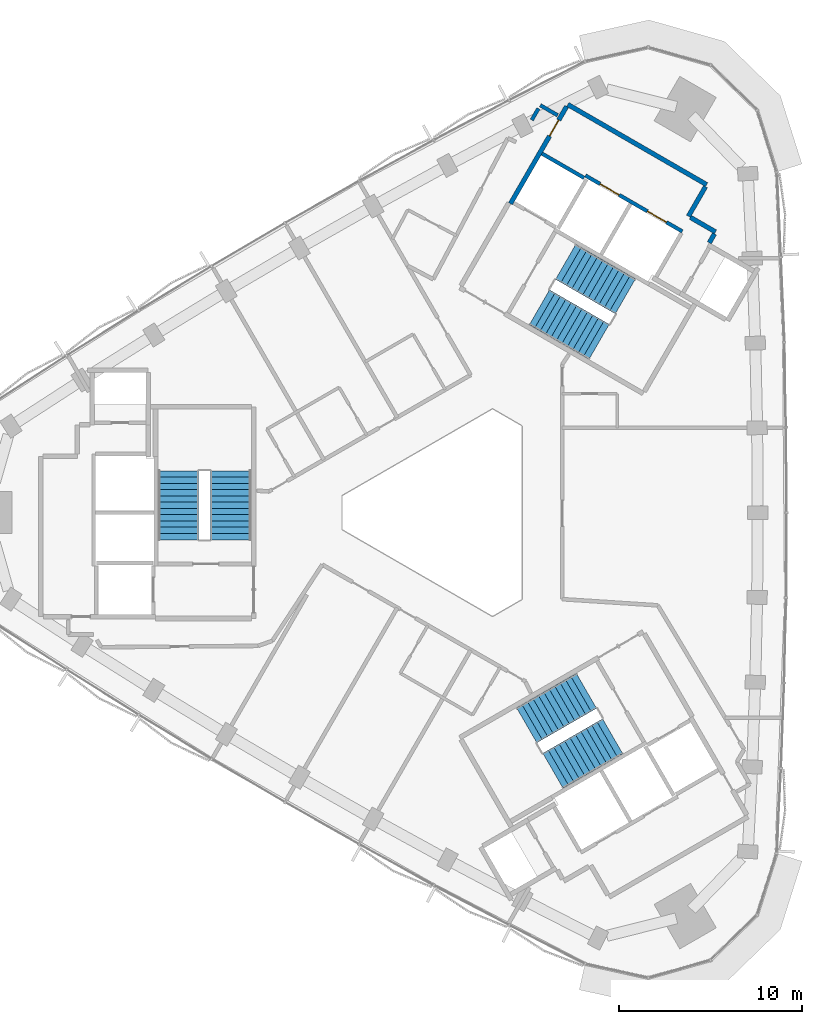
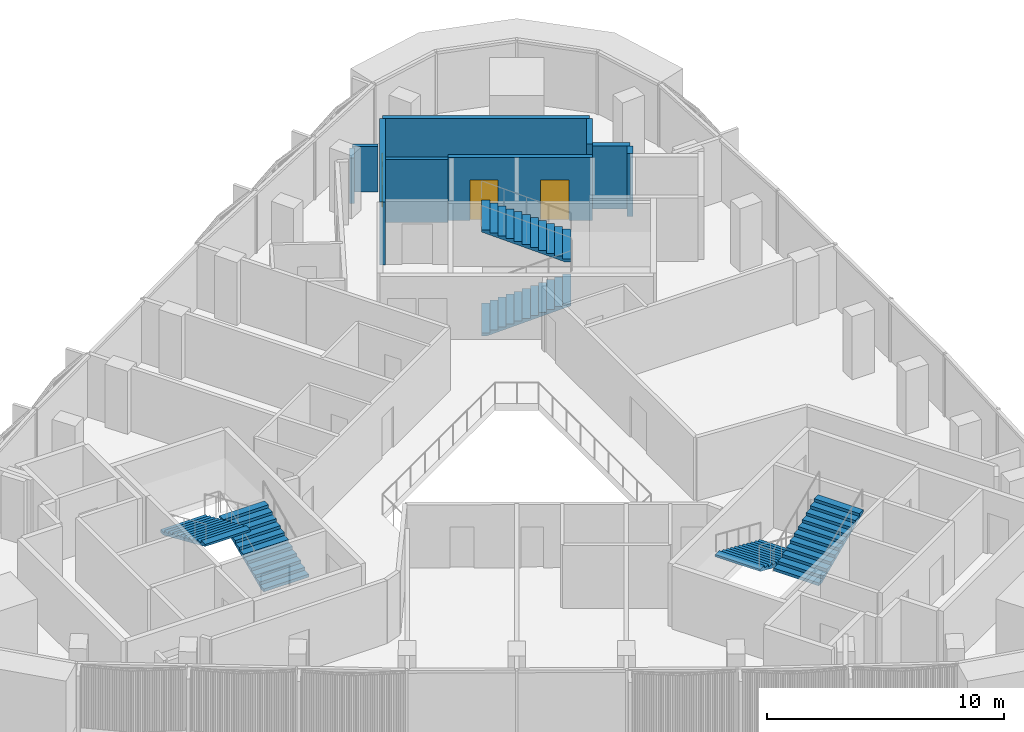
# One storey, part 11 of 14: 9 walls, 6 stair flights, 3 doors, 3 openings, 3 elements without a shape of their own.
"""IFC4 building model written with IfcOpenShell, lengths in metres."""

import ifcopenshell
import ifcopenshell.guid

model = None  # the IFC model being written
_history = None  # IfcOwnerHistory: only IFC2X3 demands one
_inside = {}  # id of a spatial element -> (the spatial element, [elements in it])
_under = {}  # id of a project, library or spatial element -> (it, [spatial elements below it])
_declared = {}  # id of a project -> (the project, [libraries it declares])
_typed = {}  # id of a type object -> (the type object, [elements of that type])
_made_of = {}  # id of a material, layer set ... -> (it, [elements and type objects made of it])


def new_model(schema):
    """Start an empty IFC model of exactly this schema.

    Asked for "IFC4X3", IfcOpenShell would pick the latest addendum, in which some entities
    have other attributes; the version numbers below select the first issue.
    IFC2X3 requires an IfcOwnerHistory on every rooted entity: one is made here for all.
    """
    global model, _history
    if schema == "IFC4X3":
        model = ifcopenshell.file(schema_version=(4, 3, 0, 0))
    else:
        model = ifcopenshell.file(schema=schema)
    _inside.clear()
    _under.clear()
    _declared.clear()
    _typed.clear()
    _made_of.clear()
    _history = None
    if model.schema == "IFC2X3":
        org = make("IfcOrganization", Name="unknown")
        user = make(
            "IfcPersonAndOrganization",
            ThePerson=make("IfcPerson", FamilyName="unknown"),
            TheOrganization=org,
        )
        app = make(
            "IfcApplication",
            ApplicationDeveloper=org,
            Version="unknown",
            ApplicationFullName="unknown",
            ApplicationIdentifier="unknown",
        )
        _history = make(
            "IfcOwnerHistory",
            OwningUser=user,
            OwningApplication=app,
            ChangeAction="ADDED",
            CreationDate=0,
        )
    return model


def make(cls, **values):
    """One entity of the class cls with the attributes given. An attribute that is None is left unset."""
    return model.create_entity(
        cls, **{name: value for name, value in values.items() if value is not None}
    )


def rooted(cls, **values):
    """An entity with a GlobalId (a new one), such as an element, a storey or a relation."""
    return make(cls, GlobalId=ifcopenshell.guid.new(), OwnerHistory=_history, **values)


def si_unit(unit_type, name, prefix=None):
    """IfcSIUnit, for example si_unit("LENGTHUNIT", "METRE", prefix="MILLI")."""
    return make("IfcSIUnit", UnitType=unit_type, Prefix=prefix, Name=name)


def assignment(units):
    """IfcUnitAssignment: the units of a project."""
    return None if units is None else make("IfcUnitAssignment", Units=units)


def point(xyz):
    """IfcCartesianPoint."""
    return None if xyz is None else make("IfcCartesianPoint", Coordinates=xyz)


def direction(xyz):
    """IfcDirection."""
    return None if xyz is None else make("IfcDirection", DirectionRatios=xyz)


def frame(location, z_axis=None, x_axis=None):
    """IfcAxis2Placement3D, a coordinate frame: its origin and axes. An axis left out is left unset."""
    return make(
        "IfcAxis2Placement3D",
        Location=point(location),
        Axis=direction(z_axis),
        RefDirection=direction(x_axis),
    )


def frame_2d(location, x_axis=None):
    """IfcAxis2Placement2D, a coordinate frame in the plane: its origin and x axis."""
    return make(
        "IfcAxis2Placement2D", Location=point(location), RefDirection=direction(x_axis)
    )


def origin():
    """The frame at (0, 0, 0) with its axes left unset."""
    return frame((0.0, 0.0, 0.0))


def place(relative_to, where):
    """IfcLocalPlacement: puts the frame where relative to a parent placement (None: the world)."""
    return make(
        "IfcLocalPlacement", PlacementRelTo=relative_to, RelativePlacement=where
    )


def context(
    kind, dimensions, precision=None, world=None, true_north=None, identifier=None
):
    """IfcGeometricRepresentationContext, for example the 3D "Model" context."""
    return make(
        "IfcGeometricRepresentationContext",
        ContextIdentifier=identifier,
        ContextType=kind,
        CoordinateSpaceDimension=dimensions,
        Precision=precision,
        WorldCoordinateSystem=world,
        TrueNorth=true_north,
    )


def subcontext(parent, identifier, kind, view, scale=None):
    """IfcGeometricRepresentationSubContext, for example "Body" below "Model"."""
    return make(
        "IfcGeometricRepresentationSubContext",
        ContextIdentifier=identifier,
        ContextType=kind,
        ParentContext=parent,
        TargetScale=scale,
        TargetView=view,
    )


def project(units=None, contexts=None):
    """IfcProject with its units and contexts."""
    return rooted(
        "IfcProject",
        Name="project",
        RepresentationContexts=contexts,
        UnitsInContext=assignment(units),
    )


def spatial(cls, under=None, at=None, **own):
    """A site, building, storey or space (cls), placed at a placement, below another one or the project."""
    s = rooted(cls, ObjectPlacement=at, **own)
    if under is not None:
        _under.setdefault(under.id(), (under, []))[1].append(s)
    return s


def polyline(points):
    """IfcPolyline through the points."""
    return make("IfcPolyline", Points=[point(p) for p in points])


def profile(cls, at=None, kind="AREA", **sizes):
    """A parametric profile (cls). Its sizes go by their IFC names, for example OverallWidth=200.0."""
    return make(cls, ProfileType=kind, Position=at, **sizes)


def rectangle(**sizes):
    """IfcRectangleProfileDef."""
    return profile("IfcRectangleProfileDef", **sizes)


def outline(outer, holes=None, kind="AREA"):
    """IfcArbitraryClosedProfileDef: a profile drawn as a closed curve; with holes, ...WithVoids."""
    if holes is None:
        return make("IfcArbitraryClosedProfileDef", ProfileType=kind, OuterCurve=outer)
    return make(
        "IfcArbitraryProfileDefWithVoids",
        ProfileType=kind,
        OuterCurve=outer,
        InnerCurves=holes,
    )


def extrude(swept, where, along, depth):
    """IfcExtrudedAreaSolid: the profile swept, set in the frame where, extruded along a direction by depth."""
    return make(
        "IfcExtrudedAreaSolid",
        SweptArea=swept,
        Position=where,
        ExtrudedDirection=direction(along),
        Depth=depth,
    )


def shape(context_of_items, identifier, shape_type, items):
    """IfcShapeRepresentation: the items that make up one representation, for example the "Body"."""
    return make(
        "IfcShapeRepresentation",
        ContextOfItems=context_of_items,
        RepresentationIdentifier=identifier,
        RepresentationType=shape_type,
        Items=items,
    )


def material(Name=None, Category=None):
    """IfcMaterial."""
    return make("IfcMaterial", Name=Name, Category=Category)


def layer(
    of_material, thickness, ventilated=None, Name=None, Category=None, Priority=None
):
    """IfcMaterialLayer: one layer of a wall or slab, of a material (None: an air gap)."""
    return make(
        "IfcMaterialLayer",
        Material=of_material,
        LayerThickness=thickness,
        IsVentilated=ventilated,
        Name=Name,
        Category=Category,
        Priority=Priority,
    )


def layer_set(layers, Name=None):
    """IfcMaterialLayerSet."""
    return make("IfcMaterialLayerSet", MaterialLayers=layers, LayerSetName=Name)


def made_of(thing, what):
    """Note that an element or type object is made of a material, layer set ...; save() writes the relation."""
    if what is not None:
        _made_of.setdefault(what.id(), (what, []))[1].append(thing)
    return thing


def type_object(cls, material=None, **own):
    """A type object (cls), such as IfcWallType, which elements share."""
    return made_of(rooted(cls, **own), material)


def element(
    cls,
    number,
    at=None,
    inside=None,
    cuts=None,
    type_object=None,
    material=None,
    context=None,
    identifier="Body",
    shape_type=None,
    held_by="IfcProductDefinitionShape",
    body=None,
    shapes=None,
    **own,
):
    """One element of the class cls, such as IfcWall. Its Tag is "e" and its number.

    at: its placement. inside: the storey or other place that contains it. cuts: it is an
    opening in that element (IfcRelVoidsElement). A single representation is given by context,
    identifier, shape_type and body (its items); several are given by shapes. held_by: the class
    of the entity that holds the representations. save() writes the other relations.
    """
    e = rooted(cls, Tag="e%d" % number, ObjectPlacement=at, **own)
    if body is not None:
        shapes = [shape(context, identifier, shape_type, body)]
    if shapes is not None:
        e.Representation = make(held_by, Representations=shapes)
    if inside is not None:
        _inside.setdefault(inside.id(), (inside, []))[1].append(e)
    if cuts is not None:
        rooted(
            "IfcRelVoidsElement", RelatingBuildingElement=cuts, RelatedOpeningElement=e
        )
    if type_object is not None:
        _typed.setdefault(type_object.id(), (type_object, []))[1].append(e)
    return made_of(e, material)


def fill(opening, filler):
    """IfcRelFillsElement: the door or window that sits in an opening."""
    return rooted(
        "IfcRelFillsElement",
        RelatingOpeningElement=opening,
        RelatedBuildingElement=filler,
    )


def aggregate(whole, parts):
    """IfcRelAggregates: a whole, such as a stair, and the parts it consists of."""
    return rooted("IfcRelAggregates", RelatingObject=whole, RelatedObjects=parts)


def save(model, path):
    """Write the relations noted so far, then the file.

    IfcRelAggregates (storeys below a building ...), IfcRelContainedInSpatialStructure (elements
    in a storey), IfcRelDefinesByType, IfcRelAssociatesMaterial and IfcRelDeclares: one each for
    every whole, place, type object, material and project.
    """
    for whole, parts in _under.values():
        aggregate(whole, parts)
    for where, things in _inside.values():
        rooted(
            "IfcRelContainedInSpatialStructure",
            RelatedElements=things,
            RelatingStructure=where,
        )
    for kind, things in _typed.values():
        rooted("IfcRelDefinesByType", RelatedObjects=things, RelatingType=kind)
    for what, things in _made_of.values():
        rooted("IfcRelAssociatesMaterial", RelatedObjects=things, RelatingMaterial=what)
    for by, libraries in _declared.values():
        rooted("IfcRelDeclares", RelatingContext=by, RelatedDefinitions=libraries)
    model.write(path)


model = new_model("IFC4")

# Units and contexts
model_context = context("Model", 3, precision=1e-05, world=origin(), true_north=direction((0.0, 1.0)))
body_context = subcontext(model_context, "Body", "Model", "MODEL_VIEW")
ifc_project = project(units=[si_unit("LENGTHUNIT", "METRE"), si_unit("AREAUNIT", "SQUARE_METRE"), si_unit("VOLUMEUNIT", "CUBIC_METRE"), si_unit("PLANEANGLEUNIT", "RADIAN"), si_unit("MASSUNIT", "GRAM", prefix="KILO")], contexts=[model_context])

# Site, building, storey
site_placement = place(None, origin())
site = spatial("IfcSite", under=ifc_project, at=site_placement, CompositionType="ELEMENT")
building_placement = place(site_placement, origin())
building = spatial("IfcBuilding", under=site, at=building_placement, Name="Tamra Quay Hotel Tower", CompositionType="ELEMENT")
storey_placement = place(building_placement, frame((0.0, 0.0, 228.60009765625)))
storey = spatial("IfcBuildingStorey", under=building, at=storey_placement, Name="L57", CompositionType="ELEMENT", Elevation=228.60009765625)

# Wall, openings, doors
ifc_material_1 = material(Name="Concrete M70", Category="concrete")
ifc_layer_1 = layer(ifc_material_1, 0.199951171875)
ifc_layer_set_1 = layer_set([ifc_layer_1], Name="Concrete M70 core wall 200")
wall_type_1 = type_object("IfcWallType", Name="Concrete M70 core wall 200", PredefinedType="SHEAR", material=ifc_layer_set_1)
wall_1_placement = place(storey_placement, frame((12.552490234375, 15.341552734375, 0.0), z_axis=(0.0, 0.0, 1.0), x_axis=(-0.866030299012, 0.499991521122, 0.0)))
wall_1 = element("IfcWall", 1, at=wall_1_placement, inside=storey, type_object=wall_type_1, Name="CW2", PredefinedType="SHEAR", context=body_context, shape_type="SweptSolid", body=[
    extrude(rectangle(XDim=6.10009765625, YDim=0.199951171875, at=frame_2d((3.050048828125, 0.0))), origin(), (0.0, 0.0, 1.0), 3.25),
])
opening_1_placement = place(wall_1_placement, frame((1.0, 0.0, 0.0)))
opening_1 = element("IfcOpeningElement", 2, at=opening_1_placement, cuts=wall_1, Name="Opening LD", PredefinedType="OPENING", context=body_context, shape_type="SweptSolid", body=[
    extrude(rectangle(XDim=1.199951171875, YDim=2.10009765625, at=frame_2d((0.60009765625, 1.050048828125))), frame((0.0, 0.10986328125, 0.0), z_axis=(0.0, -1.0, 0.0), x_axis=(1.0, 0.0, 0.0)), (0.0, 0.0, 1.0), 0.219970703125),
])
opening_2_placement = place(wall_1_placement, frame((3.982177734375, 0.0, 0.0)))
opening_2 = element("IfcOpeningElement", 3, at=opening_2_placement, cuts=wall_1, Name="Opening LD", PredefinedType="OPENING", context=body_context, shape_type="SweptSolid", body=[
    extrude(rectangle(XDim=1.199951171875, YDim=2.10009765625, at=frame_2d((0.60009765625, 1.050048828125))), frame((0.0, 0.10986328125, 0.0), z_axis=(0.0, -1.0, 0.0), x_axis=(1.0, 0.0, 0.0)), (0.0, 0.0, 1.0), 0.219970703125),
])
ifc_material_2 = material(Name="Landing door LD 1200 double door sliding")
door_type_1 = type_object("IfcDoorType", Name="Landing door LD 1200 double door sliding", OperationType="DOUBLE_DOOR_SLIDING", PredefinedType="DOOR", material=ifc_material_2)
door_1_placement = place(opening_1_placement, origin())
door_1 = element("IfcDoor", 4, at=door_1_placement, inside=storey, type_object=door_type_1, Name="LD", OperationType="DOUBLE_DOOR_SLIDING", OverallHeight=2.10009765625, OverallWidth=1.199951171875, PredefinedType="DOOR", context=body_context, shape_type="SweptSolid", body=[
    extrude(rectangle(XDim=1.199951171875, YDim=2.10009765625, at=frame_2d((0.60009765625, 1.050048828125))), frame((0.0, 0.02490234375, 0.0), z_axis=(0.0, -1.0, 0.0), x_axis=(1.0, 0.0, 0.0)), (0.0, 0.0, 1.0), 0.050048828125),
])
fill(opening_1, door_1)
door_2_placement = place(opening_2_placement, origin())
door_2 = element("IfcDoor", 5, at=door_2_placement, inside=storey, type_object=door_type_1, Name="LD", OperationType="DOUBLE_DOOR_SLIDING", OverallHeight=2.10009765625, OverallWidth=1.199951171875, PredefinedType="DOOR", context=body_context, shape_type="SweptSolid", body=[
    extrude(rectangle(XDim=1.199951171875, YDim=2.10009765625, at=frame_2d((0.60009765625, 1.050048828125))), frame((0.0, 0.02490234375, 0.0), z_axis=(0.0, -1.0, 0.0), x_axis=(1.0, 0.0, 0.0)), (0.0, 0.0, 1.0), 0.050048828125),
])
fill(opening_2, door_2)

# Walls
wall_2_placement = place(storey_placement, frame((7.1962890625, 18.260498046875, 0.0), z_axis=(0.0, 0.0, 1.0), x_axis=(-0.866018407898, 0.500012117035, 0.0)))
element("IfcWall", 6, at=wall_2_placement, inside=storey, type_object=wall_type_1, Name="CW2", PredefinedType="SHEAR", context=body_context, shape_type="SweptSolid", body=[
    extrude(rectangle(XDim=2.65087890625, YDim=0.199951171875, at=frame_2d((1.325439453125, 0.0))), origin(), (0.0, 0.0, 1.0), 3.25),
])
ifc_layer_2 = layer(ifc_material_1, 0.25)
ifc_layer_set_2 = layer_set([ifc_layer_2], Name="Concrete M70 core wall 250")
wall_type_2 = type_object("IfcWallType", Name="Concrete M70 core wall 250", PredefinedType="SHEAR", material=ifc_layer_set_2)
wall_3_placement = place(storey_placement, frame((6.303955078125, 22.268798828125, 0.0), z_axis=(0.0, 0.0, 1.0), x_axis=(0.866022959057, -0.500004234368, 0.0)))
element("IfcWall", 7, at=wall_3_placement, inside=storey, type_object=wall_type_2, Name="CW1", PredefinedType="SHEAR", context=body_context, shape_type="SweptSolid", body=[
    extrude(rectangle(XDim=8.75, YDim=0.25, at=frame_2d((4.375, 0.0))), origin(), (0.0, 0.0, 1.0), 3.25),
])

# Wall, opening, door
wall_4_placement = place(storey_placement, frame((3.178955078125, 16.856201171875, 0.0), z_axis=(0.0, 0.0, 1.0), x_axis=(0.500001955336, 0.866024274868, 0.0)))
wall_4 = element("IfcWall", 8, at=wall_4_placement, inside=storey, type_object=wall_type_2, Name="CW1", PredefinedType="SHEAR", context=body_context, shape_type="SweptSolid", body=[
    extrude(rectangle(XDim=6.12451171875, YDim=0.25, at=frame_2d((3.062255859375, 0.0))), origin(), (0.0, 0.0, 1.0), 3.25),
])
opening_3_placement = place(wall_4_placement, frame((4.2626953125, 0.0, 0.0)))
opening_3 = element("IfcOpeningElement", 9, at=opening_3_placement, cuts=wall_4, Name="Opening FD3", PredefinedType="OPENING", context=body_context, shape_type="SweptSolid", body=[
    extrude(rectangle(XDim=1.0, YDim=2.10009765625, at=frame_2d((0.5, 1.050048828125))), frame((0.0, 0.135009765625, 0.0), z_axis=(0.0, -1.0, 0.0), x_axis=(1.0, 0.0, 0.0)), (0.0, 0.0, 1.0), 0.27001953125),
])
ifc_material_3 = material(Name="Core door FD3 1000x2100 LH")
door_type_2 = type_object("IfcDoorType", Name="Core door FD3 1000x2100 LH", OperationType="NOTDEFINED", PredefinedType="DOOR", material=ifc_material_3)
door_3_placement = place(opening_3_placement, origin())
door_3 = element("IfcDoor", 10, at=door_3_placement, inside=storey, type_object=door_type_2, Name="FD3", OperationType="SINGLE_SWING_LEFT", OverallHeight=2.10009765625, OverallWidth=1.0, PredefinedType="DOOR", context=body_context, shape_type="SweptSolid", body=[
    extrude(rectangle(XDim=1.0, YDim=2.10009765625, at=frame_2d((0.5, 1.050048828125))), frame((0.0, 0.02490234375, 0.0), z_axis=(0.0, -1.0, 0.0), x_axis=(1.0, 0.0, 0.0)), (0.0, 0.0, 1.0), 0.050048828125),
])
fill(opening_3, door_3)

# Walls
wall_5_placement = place(storey_placement, frame((13.819091796875, 17.78515625, 0.0), z_axis=(0.0, 0.0, 1.0), x_axis=(-0.500039802285, -0.866002422705, 0.0)))
element("IfcWall", 11, at=wall_5_placement, inside=storey, type_object=wall_type_2, Name="CW1", PredefinedType="SHEAR", context=body_context, shape_type="SweptSolid", body=[
    extrude(rectangle(XDim=1.864501953125, YDim=0.25, at=frame_2d((0.93212890625, 0.0))), origin(), (0.0, 0.0, 1.0), 3.25),
])
wall_6_placement = place(storey_placement, frame((12.995361328125, 16.107666015625, 0.0), z_axis=(0.0, 0.0, 1.0), x_axis=(0.866044474677, -0.49996696679, 0.0)))
element("IfcWall", 12, at=wall_6_placement, inside=storey, type_object=wall_type_2, Name="CW1", PredefinedType="SHEAR", context=body_context, shape_type="SweptSolid", body=[
    extrude(rectangle(XDim=1.58447265625, YDim=0.25, at=frame_2d((0.792236328125, 0.0))), origin(), (0.0, 0.0, 1.0), 3.25),
])
wall_7_placement = place(storey_placement, frame((14.304931640625, 15.206787109375, 0.0), z_axis=(0.0, 0.0, 1.0), x_axis=(-0.499848422343, -0.866112899501, 0.0)))
element("IfcWall", 13, at=wall_7_placement, inside=storey, type_object=wall_type_2, Name="CW1", PredefinedType="SHEAR", context=body_context, shape_type="SweptSolid", body=[
    extrude(rectangle(XDim=0.559326171875, YDim=0.25, at=frame_2d((0.27978515625, 0.0))), origin(), (0.0, 0.0, 1.0), 3.25),
])
ifc_material_4 = material(Name="Partition corridor wall")
ifc_layer_3 = layer(ifc_material_4, 0.199951171875)
ifc_layer_set_3 = layer_set([ifc_layer_3], Name="Partition corridor wall")
wall_type_3 = type_object("IfcWallType", Name="Partition corridor wall", PredefinedType="PARTITIONING", material=ifc_layer_set_3)
wall_8_placement = place(storey_placement, frame((4.342041015625, 21.4208984375, 0.0), z_axis=(0.0, 0.0, 1.0), x_axis=(0.500238258503, 0.865887801468, 0.0)))
element("IfcWall", 14, at=wall_8_placement, inside=storey, type_object=wall_type_3, Name="W-C", PredefinedType="PARTITIONING", context=body_context, shape_type="SweptSolid", body=[
    extrude(rectangle(XDim=0.723876953125, YDim=0.199951171875, at=frame_2d((0.36181640625, 0.0))), origin(), (0.0, 0.0, 1.0), 2.349853515625),
])
wall_9_placement = place(storey_placement, frame((4.805908203125, 22.22412109375, 0.0), z_axis=(0.0, 0.0, 1.0), x_axis=(0.866334698307, -0.499463903109, 0.0)))
element("IfcWall", 15, at=wall_9_placement, inside=storey, type_object=wall_type_3, Name="W-C", PredefinedType="PARTITIONING", context=body_context, shape_type="SweptSolid", body=[
    extrude(rectangle(XDim=1.090087890625, YDim=0.199951171875, at=frame_2d((0.544921875, 0.0))), origin(), (0.0, 0.0, 1.0), 2.349853515625),
])

# Stair, stair flights
ifc_material_5 = material(Name="Exit stair 2200 24 risers 150.0 going 342")
stair_type = type_object("IfcStairType", Name="Exit stair 2200 24 risers 150.0 going 342", PredefinedType="HALF_TURN_STAIR", material=ifc_material_5)
stair_1_placement = place(storey_placement, origin())
stair_1 = element("IfcStair", 16, at=stair_1_placement, inside=storey, type_object=stair_type, Name="L57 Exit stair ST3", PredefinedType="HALF_TURN_STAIR")
ifc_material_6 = material(Name="Exit stair flight 2200 12 risers 150.0")
stair_flight_type = type_object("IfcStairFlightType", Name="Exit stair flight 2200 12 risers 150.0", PredefinedType="STRAIGHT", material=ifc_material_6)
stair_flight_1_placement = place(storey_placement, frame((-12.082275390625, -1.47998046875, 0.0), z_axis=(0.0, 0.0, 1.0), x_axis=(0.0, 1.0, 0.0)))
stair_flight_1 = element("IfcStairFlight", 17, at=stair_flight_1_placement, type_object=stair_flight_type, Name="ST3 flight 1", NumberOfRisers=12, NumberOfTreads=11, PredefinedType="STRAIGHT", RiserHeight=0.15, TreadLength=0.342, context=body_context, shape_type="SweptSolid", body=[
    extrude(outline(polyline([(0.0, 0.0), (0.0, 0.14990234375), (0.342041015625, 0.14990234375), (0.342041015625, 0.300048828125), (0.68408203125, 0.300048828125), (0.68408203125, 0.449951171875), (1.02587890625, 0.449951171875), (1.02587890625, 0.60009765625), (1.367919921875, 0.60009765625), (1.367919921875, 0.75), (1.7099609375, 0.75), (1.7099609375, 0.89990234375), (2.052001953125, 0.89990234375), (2.052001953125, 1.050048828125), (2.39404296875, 1.050048828125), (2.39404296875, 1.199951171875), (2.736083984375, 1.199951171875), (2.736083984375, 1.35009765625), (3.077880859375, 1.35009765625), (3.077880859375, 1.5), (3.419921875, 1.5), (3.419921875, 1.64990234375), (3.761962890625, 1.64990234375), (3.761962890625, 1.800048828125), (3.761962890625, 1.540771484375), (0.249267578125, 0.0), (0.0, 0.0)])), frame((0.0, 1.10009765625, 0.0), z_axis=(0.0, -1.0, 0.0), x_axis=(1.0, 0.0, 0.0)), (0.0, 0.0, 1.0), 2.199951171875),
])
stair_flight_2_placement = place(storey_placement, frame((-14.94140625, 2.281982421875, 1.7998046875), z_axis=(0.0, 0.0, 1.0), x_axis=(0.0, -1.0, 0.0)))
stair_flight_2 = element("IfcStairFlight", 18, at=stair_flight_2_placement, type_object=stair_flight_type, Name="ST3 flight 2", NumberOfRisers=12, NumberOfTreads=11, PredefinedType="STRAIGHT", RiserHeight=0.15, TreadLength=0.342, context=body_context, shape_type="SweptSolid", body=[
    extrude(outline(polyline([(0.0, 0.0), (0.0, 0.14990234375), (0.342041015625, 0.14990234375), (0.342041015625, 0.300048828125), (0.68408203125, 0.300048828125), (0.68408203125, 0.449951171875), (1.02587890625, 0.449951171875), (1.02587890625, 0.60009765625), (1.367919921875, 0.60009765625), (1.367919921875, 0.75), (1.7099609375, 0.75), (1.7099609375, 0.89990234375), (2.052001953125, 0.89990234375), (2.052001953125, 1.050048828125), (2.39404296875, 1.050048828125), (2.39404296875, 1.199951171875), (2.736083984375, 1.199951171875), (2.736083984375, 1.35009765625), (3.077880859375, 1.35009765625), (3.077880859375, 1.5), (3.419921875, 1.5), (3.419921875, 1.64990234375), (3.761962890625, 1.64990234375), (3.761962890625, 1.800048828125), (3.761962890625, 1.540771484375), (0.249267578125, 0.0), (0.0, 0.0)])), frame((0.0, 1.10009765625, 0.0), z_axis=(0.0, -1.0, 0.0), x_axis=(1.0, 0.0, 0.0)), (0.0, 0.0, 1.0), 2.199951171875),
])
aggregate(stair_1, [stair_flight_1, stair_flight_2])

stair_2_placement = place(storey_placement, origin())
stair_2 = element("IfcStair", 19, at=stair_2_placement, inside=storey, type_object=stair_type, Name="L57 Exit stair ST1", PredefinedType="HALF_TURN_STAIR")
stair_flight_3_placement = place(storey_placement, frame((4.75927734375, 11.20361328125, 0.0), z_axis=(0.0, 0.0, 1.0), x_axis=(0.866025403784, -0.5, 0.0)))
stair_flight_3 = element("IfcStairFlight", 20, at=stair_flight_3_placement, type_object=stair_flight_type, Name="ST1 flight 1", NumberOfRisers=12, NumberOfTreads=11, PredefinedType="STRAIGHT", RiserHeight=0.15, TreadLength=0.342, context=body_context, shape_type="SweptSolid", body=[
    extrude(outline(polyline([(0.0, 0.0), (0.0, 0.14990234375), (0.342041015625, 0.14990234375), (0.342041015625, 0.300048828125), (0.68408203125, 0.300048828125), (0.68408203125, 0.449951171875), (1.02587890625, 0.449951171875), (1.02587890625, 0.60009765625), (1.367919921875, 0.60009765625), (1.367919921875, 0.75), (1.7099609375, 0.75), (1.7099609375, 0.89990234375), (2.052001953125, 0.89990234375), (2.052001953125, 1.050048828125), (2.39404296875, 1.050048828125), (2.39404296875, 1.199951171875), (2.736083984375, 1.199951171875), (2.736083984375, 1.35009765625), (3.077880859375, 1.35009765625), (3.077880859375, 1.5), (3.419921875, 1.5), (3.419921875, 1.64990234375), (3.761962890625, 1.64990234375), (3.761962890625, 1.800048828125), (3.761962890625, 1.540771484375), (0.249267578125, 0.0), (0.0, 0.0)])), frame((0.0, 1.10009765625, 0.0), z_axis=(0.0, -1.0, 0.0), x_axis=(1.0, 0.0, 0.0)), (0.0, 0.0, 1.0), 2.199951171875),
])
stair_flight_4_placement = place(storey_placement, frame((9.44677734375, 11.798583984375, 1.7998046875), z_axis=(0.0, 0.0, 1.0), x_axis=(-0.866025403784, 0.5, 0.0)))
stair_flight_4 = element("IfcStairFlight", 21, at=stair_flight_4_placement, type_object=stair_flight_type, Name="ST1 flight 2", NumberOfRisers=12, NumberOfTreads=11, PredefinedType="STRAIGHT", RiserHeight=0.15, TreadLength=0.342, context=body_context, shape_type="SweptSolid", body=[
    extrude(outline(polyline([(0.0, 0.0), (0.0, 0.14990234375), (0.342041015625, 0.14990234375), (0.342041015625, 0.300048828125), (0.68408203125, 0.300048828125), (0.68408203125, 0.449951171875), (1.02587890625, 0.449951171875), (1.02587890625, 0.60009765625), (1.367919921875, 0.60009765625), (1.367919921875, 0.75), (1.7099609375, 0.75), (1.7099609375, 0.89990234375), (2.052001953125, 0.89990234375), (2.052001953125, 1.050048828125), (2.39404296875, 1.050048828125), (2.39404296875, 1.199951171875), (2.736083984375, 1.199951171875), (2.736083984375, 1.35009765625), (3.077880859375, 1.35009765625), (3.077880859375, 1.5), (3.419921875, 1.5), (3.419921875, 1.64990234375), (3.761962890625, 1.64990234375), (3.761962890625, 1.800048828125), (3.761962890625, 1.540771484375), (0.249267578125, 0.0), (0.0, 0.0)])), frame((0.0, 1.10009765625, 0.0), z_axis=(0.0, -1.0, 0.0), x_axis=(1.0, 0.0, 0.0)), (0.0, 0.0, 1.0), 2.199951171875),
])
aggregate(stair_2, [stair_flight_3, stair_flight_4])

stair_3_placement = place(storey_placement, origin())
stair_3 = element("IfcStair", 22, at=stair_3_placement, inside=storey, type_object=stair_type, Name="L57 Exit stair ST2", PredefinedType="HALF_TURN_STAIR")
stair_flight_5_placement = place(storey_placement, frame((7.322998046875, -9.7236328125, 0.0), z_axis=(0.0, 0.0, 1.0), x_axis=(-0.866025403784, -0.5, 0.0)))
stair_flight_5 = element("IfcStairFlight", 23, at=stair_flight_5_placement, type_object=stair_flight_type, Name="ST2 flight 1", NumberOfRisers=12, NumberOfTreads=11, PredefinedType="STRAIGHT", RiserHeight=0.15, TreadLength=0.342, context=body_context, shape_type="SweptSolid", body=[
    extrude(outline(polyline([(0.0, 0.0), (0.0, 0.14990234375), (0.342041015625, 0.14990234375), (0.342041015625, 0.300048828125), (0.68408203125, 0.300048828125), (0.68408203125, 0.449951171875), (1.02587890625, 0.449951171875), (1.02587890625, 0.60009765625), (1.367919921875, 0.60009765625), (1.367919921875, 0.75), (1.7099609375, 0.75), (1.7099609375, 0.89990234375), (2.052001953125, 0.89990234375), (2.052001953125, 1.050048828125), (2.39404296875, 1.050048828125), (2.39404296875, 1.199951171875), (2.736083984375, 1.199951171875), (2.736083984375, 1.35009765625), (3.077880859375, 1.35009765625), (3.077880859375, 1.5), (3.419921875, 1.5), (3.419921875, 1.64990234375), (3.761962890625, 1.64990234375), (3.761962890625, 1.800048828125), (3.761962890625, 1.540771484375), (0.249267578125, 0.0), (0.0, 0.0)])), frame((0.0, 1.10009765625, 0.0), z_axis=(0.0, -1.0, 0.0), x_axis=(1.0, 0.0, 0.0)), (0.0, 0.0, 1.0), 2.199951171875),
])
stair_flight_6_placement = place(storey_placement, frame((5.494384765625, -14.08056640625, 1.7998046875), z_axis=(0.0, 0.0, 1.0), x_axis=(0.866025403784, 0.5, 0.0)))
stair_flight_6 = element("IfcStairFlight", 24, at=stair_flight_6_placement, type_object=stair_flight_type, Name="ST2 flight 2", NumberOfRisers=12, NumberOfTreads=11, PredefinedType="STRAIGHT", RiserHeight=0.15, TreadLength=0.342, context=body_context, shape_type="SweptSolid", body=[
    extrude(outline(polyline([(0.0, 0.0), (0.0, 0.14990234375), (0.342041015625, 0.14990234375), (0.342041015625, 0.300048828125), (0.68408203125, 0.300048828125), (0.68408203125, 0.449951171875), (1.02587890625, 0.449951171875), (1.02587890625, 0.60009765625), (1.367919921875, 0.60009765625), (1.367919921875, 0.75), (1.7099609375, 0.75), (1.7099609375, 0.89990234375), (2.052001953125, 0.89990234375), (2.052001953125, 1.050048828125), (2.39404296875, 1.050048828125), (2.39404296875, 1.199951171875), (2.736083984375, 1.199951171875), (2.736083984375, 1.35009765625), (3.077880859375, 1.35009765625), (3.077880859375, 1.5), (3.419921875, 1.5), (3.419921875, 1.64990234375), (3.761962890625, 1.64990234375), (3.761962890625, 1.800048828125), (3.761962890625, 1.540771484375), (0.249267578125, 0.0), (0.0, 0.0)])), frame((0.0, 1.10009765625, 0.0), z_axis=(0.0, -1.0, 0.0), x_axis=(1.0, 0.0, 0.0)), (0.0, 0.0, 1.0), 2.199951171875),
])
aggregate(stair_3, [stair_flight_5, stair_flight_6])

save(model, "model.ifc")
